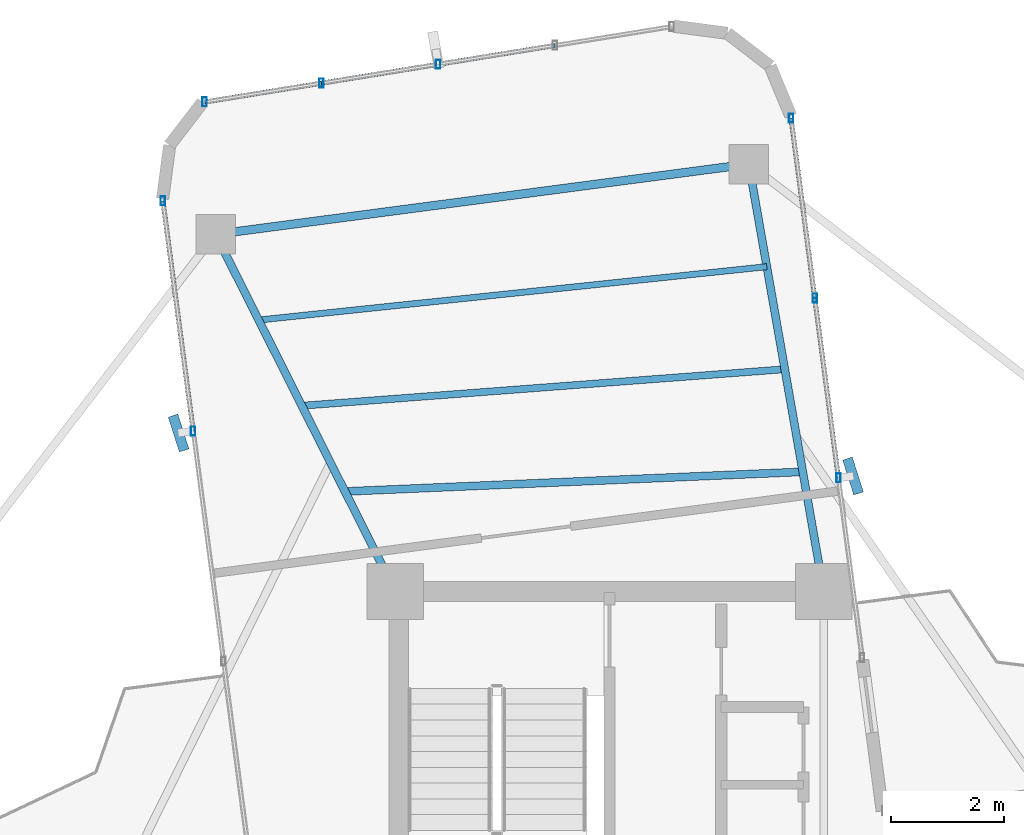
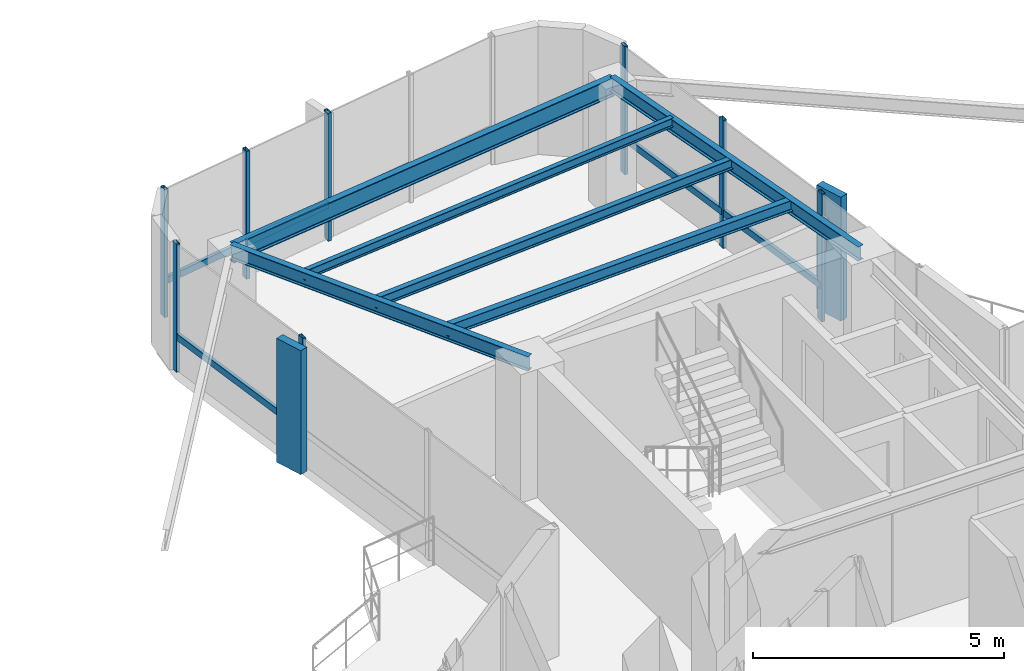
# One storey, part 14 of 22: 16 members, 6 beams, 3 elements without a shape of their own.
"""IFC4 building model written with IfcOpenShell, lengths in metres."""

from ifc_helpers import new_model, si_unit, direction, frame, origin, origin_2d, place, context, subcontext, project, spatial, rectangle, hollow_rectangle, i_section, extrude, source, transform, mapped, material, material_profile, profile_set, type_object, element, aggregate, save


model = new_model("IFC4")

# Units and contexts
model_context = context("Model", 3, precision=1e-05, world=origin(), true_north=direction((0.0, 1.0)))
body_context = subcontext(model_context, "Body", "Model", "MODEL_VIEW")
ifc_project = project(units=[si_unit("LENGTHUNIT", "METRE"), si_unit("AREAUNIT", "SQUARE_METRE"), si_unit("VOLUMEUNIT", "CUBIC_METRE"), si_unit("PLANEANGLEUNIT", "RADIAN"), si_unit("MASSUNIT", "GRAM", prefix="KILO")], contexts=[model_context])

# Site, building, storey
site_placement = place(None, origin())
site = spatial("IfcSite", under=ifc_project, at=site_placement, CompositionType="ELEMENT")
building_placement = place(site_placement, origin())
building = spatial("IfcBuilding", under=site, at=building_placement, Name="Sahyath Konkavel Grand Hotel", CompositionType="ELEMENT")
storey_placement = place(building_placement, frame((0.0, 0.0, 241.14990234375)))
storey = spatial("IfcBuildingStorey", under=building, at=storey_placement, Name="L67", CompositionType="ELEMENT", Elevation=241.14990234375)

# Beams
ifc_material_1 = material(Name="Steel E350", Category="steel")
ifc_material_profile_1 = material_profile(ifc_material_1, i_section(OverallWidth=0.139892578125, OverallDepth=0.35009765625, WebThickness=0.008056640625, FlangeThickness=0.01416015625, FilletRadius=0.013916015625, at=origin_2d()), Name="ISMB 350")
ifc_profile_set_1 = profile_set([ifc_material_profile_1], Name="Steel E350")
beam_type_1 = type_object("IfcBeamType", Name="BM-ISMB350", PredefinedType="BEAM", material=ifc_profile_set_1)
shared_shape_1 = source(origin(), body_context, "Body", "SweptSolid", [
    extrude(i_section(OverallWidth=0.139892578125, OverallDepth=0.35009765625, WebThickness=0.008056640625, FlangeThickness=0.01416015625, FilletRadius=0.013916015625, at=origin_2d()), origin(), (0.0, 0.0, 1.0), 7.697265625),
])
beam_1_placement = place(storey_placement, frame((3.800048828125, 10.199951171875, 2.93505859375), z_axis=(-0.172638066176, 0.984985328879, 0.0), x_axis=(-0.984985328879, -0.172638066176, 0.0)))
element("IfcBeam", 1, at=beam_1_placement, inside=storey, type_object=beam_type_1, Name="L67 Cruciform Radial Girder NA", PredefinedType="BEAM", context=body_context, shape_type="MappedRepresentation", body=[
    mapped(shared_shape_1, transform((0.0, 0.0, 0.0), scale=1.0)),
])
shared_shape_2 = source(origin(), body_context, "Body", "SweptSolid", [
    extrude(i_section(OverallWidth=0.139892578125, OverallDepth=0.35009765625, WebThickness=0.008056640625, FlangeThickness=0.01416015625, FilletRadius=0.013916015625, at=origin_2d()), origin(), (0.0, 0.0, 1.0), 7.093505859375),
])
beam_2_placement = place(storey_placement, frame((-3.800048828125, 10.199951171875, 2.93505859375), z_axis=(-0.449593689822, 0.893233180123, 0.0), x_axis=(-0.893233180123, -0.449593689822, 0.0)))
element("IfcBeam", 2, at=beam_2_placement, inside=storey, type_object=beam_type_1, Name="L67 Cruciform Radial Girder NB", PredefinedType="BEAM", context=body_context, shape_type="MappedRepresentation", body=[
    mapped(shared_shape_2, transform((0.0, 0.0, 0.0), scale=1.0)),
])
ifc_material_profile_2 = material_profile(ifc_material_1, i_section(OverallWidth=0.14990234375, OverallDepth=0.449951171875, WebThickness=0.009521484375, FlangeThickness=0.017333984375, FilletRadius=0.014892578125, at=origin_2d()), Name="ISMB 450")
ifc_profile_set_2 = profile_set([ifc_material_profile_2], Name="Steel E350")
beam_type_2 = type_object("IfcBeamType", Name="BM-ISMB450", PredefinedType="BEAM", material=ifc_profile_set_2)
shared_shape_3 = source(origin(), body_context, "Body", "SweptSolid", [
    extrude(i_section(OverallWidth=0.14990234375, OverallDepth=0.449951171875, WebThickness=0.009521484375, FlangeThickness=0.017333984375, FilletRadius=0.014892578125, at=origin_2d()), origin(), (0.0, 0.0, 1.0), 9.5419921875),
])
beam_3_placement = place(storey_placement, frame((2.47119140625, 17.78173828125, 2.885009765625), z_axis=(-0.991443319299, -0.130537904905, 0.0), x_axis=(0.130537904905, -0.991443319299, 0.0)))
element("IfcBeam", 3, at=beam_3_placement, inside=storey, type_object=beam_type_2, Name="L67 Wing Tip Edge Beam N", PredefinedType="BEAM", context=body_context, shape_type="MappedRepresentation", body=[
    mapped(shared_shape_3, transform((0.0, 0.0, 0.0), scale=1.0)),
])
ifc_material_profile_3 = material_profile(ifc_material_1, i_section(OverallWidth=0.139892578125, OverallDepth=0.27490234375, WebThickness=0.00634765625, FlangeThickness=0.0087890625, FilletRadius=0.012939453125, at=origin_2d()), Name="ISLB 275")
ifc_profile_set_3 = profile_set([ifc_material_profile_3], Name="Steel E350")
beam_type_3 = type_object("IfcBeamType", Name="BM-ISLB275", PredefinedType="BEAM", material=ifc_profile_set_3)
shared_shape_4 = source(origin(), body_context, "Body", "SweptSolid", [
    extrude(i_section(OverallWidth=0.139892578125, OverallDepth=0.27490234375, WebThickness=0.00634765625, FlangeThickness=0.0087890625, FilletRadius=0.012939453125, at=origin_2d()), origin(), (0.0, 0.0, 1.0), 8.128662109375),
])
beam_4_placement = place(storey_placement, frame((3.427978515625, 12.322998046875, 2.97265625), z_axis=(-0.999078522138, -0.042919769364, 0.0), x_axis=(0.042919769364, -0.999078522138, 0.0)))
element("IfcBeam", 4, at=beam_4_placement, inside=storey, type_object=beam_type_3, Name="L67 Secondary Floor Beam N-1", PredefinedType="BEAM", context=body_context, shape_type="MappedRepresentation", body=[
    mapped(shared_shape_4, transform((0.0, 0.0, 0.0), scale=1.0)),
])
ifc_material_profile_4 = material_profile(ifc_material_1, i_section(OverallWidth=0.125, OverallDepth=0.25, WebThickness=0.0068359375, FlangeThickness=0.012451171875, FilletRadius=0.012939453125, at=origin_2d()), Name="ISMB 250")
ifc_profile_set_4 = profile_set([ifc_material_profile_4], Name="Steel E350")
beam_type_4 = type_object("IfcBeamType", Name="BM-ISMB250", PredefinedType="BEAM", material=ifc_profile_set_4)
shared_shape_5 = source(origin(), body_context, "Body", "SweptSolid", [
    extrude(i_section(OverallWidth=0.125, OverallDepth=0.25, WebThickness=0.0068359375, FlangeThickness=0.012451171875, FilletRadius=0.012939453125, at=origin_2d()), origin(), (0.0, 0.0, 1.0), 8.591796875),
])
beam_5_placement = place(storey_placement, frame((3.10888671875, 14.142578125, 2.985107421875), z_axis=(-0.997154415757, -0.075386146843, 0.0), x_axis=(0.075386146843, -0.997154415757, 0.0)))
element("IfcBeam", 5, at=beam_5_placement, inside=storey, type_object=beam_type_4, Name="L67 Secondary Floor Beam N-2", PredefinedType="BEAM", context=body_context, shape_type="MappedRepresentation", body=[
    mapped(shared_shape_5, transform((0.0, 0.0, 0.0), scale=1.0)),
])
ifc_material_profile_5 = material_profile(ifc_material_1, i_section(OverallWidth=0.110107421875, OverallDepth=0.22509765625, WebThickness=0.006591796875, FlangeThickness=0.01171875, FilletRadius=0.011962890625, at=origin_2d()), Name="ISMB 225")
ifc_profile_set_5 = profile_set([ifc_material_profile_5], Name="Steel E350")
beam_type_5 = type_object("IfcBeamType", Name="BM-ISMB225", PredefinedType="BEAM", material=ifc_profile_set_5)
shared_shape_6 = source(origin(), body_context, "Body", "SweptSolid", [
    extrude(i_section(OverallWidth=0.110107421875, OverallDepth=0.22509765625, WebThickness=0.006591796875, FlangeThickness=0.01171875, FilletRadius=0.011962890625, at=origin_2d()), origin(), (0.0, 0.0, 1.0), 9.0634765625),
])
beam_6_placement = place(storey_placement, frame((2.7900390625, 15.962158203125, 2.99755859375), z_axis=(-0.994529043333, -0.104460432546, 0.0), x_axis=(0.104460432546, -0.994529043333, 0.0)))
element("IfcBeam", 6, at=beam_6_placement, inside=storey, type_object=beam_type_5, Name="L67 Secondary Floor Beam N-3", PredefinedType="BEAM", context=body_context, shape_type="MappedRepresentation", body=[
    mapped(shared_shape_6, transform((0.0, 0.0, 0.0), scale=1.0)),
])

# Curtain wall, member
ifc_material_2 = material(Name="Anodised Bronze Aluminium & Low-E Glazing", Category="aluminium")
curtain_wall_type = type_object("IfcCurtainWallType", Name="CW-ZONE4", PredefinedType="NOTDEFINED", material=ifc_material_2)
curtain_wall_1_placement = place(storey_placement, origin())
curtain_wall_1 = element("IfcCurtainWall", 7, at=curtain_wall_1_placement, inside=storey, type_object=curtain_wall_type, Name="L67 Unitised Curtain Wall F8", PredefinedType="NOTDEFINED")
ifc_material_3 = material(Name="Warm Buff Sandstone Cladding on Concrete C50/60", Category="masonry")
ifc_material_profile_6 = material_profile(ifc_material_3, rectangle(XDim=0.179931640625, YDim=0.64990234375, at=origin_2d()), Name="FIN 180x650")
ifc_profile_set_6 = profile_set([ifc_material_profile_6], Name="Warm Buff Sandstone Cladding on Concrete C50/60")
member_type_1 = type_object("IfcMemberType", Name="FIN-SANDSTONE-650", PredefinedType="MULLION", material=ifc_profile_set_6)
shared_shape_7 = source(origin(), body_context, "Body", "SweptSolid", [
    extrude(rectangle(XDim=0.179931640625, YDim=0.64990234375, at=origin_2d()), origin(), (0.0, 0.0, 1.0), 3.010009765625),
])
member_1_placement = place(storey_placement, frame((4.3193359375, 12.248291015625, 0.050048828125), z_axis=(0.0, 0.0, 1.0), x_axis=(0.952767550771, 0.303700500819, 0.0)))
member_1 = element("IfcMember", 8, at=member_1_placement, type_object=member_type_1, Name="L67 Sandstone Vertical Solar Fin FIN F8-1", PredefinedType="MULLION", context=body_context, shape_type="MappedRepresentation", body=[
    mapped(shared_shape_7, transform((0.0, 0.0, 0.0), scale=1.0)),
])

curtain_wall_2_placement = place(storey_placement, origin())
curtain_wall_2 = element("IfcCurtainWall", 9, at=curtain_wall_2_placement, inside=storey, type_object=curtain_wall_type, Name="L67 Unitised Curtain Wall F15", PredefinedType="NOTDEFINED")
member_2_placement = place(storey_placement, frame((-7.644775390625, 13.01171875, 0.050048828125), z_axis=(0.0, 0.0, 1.0), x_axis=(0.952767550771, 0.303700500819, 0.0)))
member_2 = element("IfcMember", 10, at=member_2_placement, type_object=member_type_1, Name="L67 Sandstone Vertical Solar Fin FIN F15-1", PredefinedType="MULLION", context=body_context, shape_type="MappedRepresentation", body=[
    mapped(shared_shape_7, transform((0.0, 0.0, 0.0), scale=1.0)),
])

# Member
ifc_material_4 = material(Name="Anodised Bronze Aluminium", Category="aluminium")
ifc_material_profile_7 = material_profile(ifc_material_4, hollow_rectangle(XDim=0.080078125, YDim=0.159912109375, WallThickness=0.006103515625, at=origin_2d()), Name="RHS 160x80x6")
ifc_profile_set_7 = profile_set([ifc_material_profile_7], Name="Anodised Bronze Aluminium")
member_type_2 = type_object("IfcMemberType", Name="CW-MUL-160", PredefinedType="MULLION", material=ifc_profile_set_7)
shared_shape_8 = source(origin(), body_context, "Body", "SweptSolid", [
    extrude(hollow_rectangle(XDim=0.080078125, YDim=0.159912109375, WallThickness=0.006103515625, at=origin_2d()), origin(), (0.0, 0.0, 1.0), 3.110107421875),
])
member_3_placement = place(storey_placement, frame((4.0615234375, 12.21435546875, 0.0), z_axis=(0.0, 0.0, 1.0), x_axis=(1.0, 0.0, 0.0)))
member_3 = element("IfcMember", 11, at=member_3_placement, type_object=member_type_2, Name="L67 Curtain Wall Mullion F8-1", PredefinedType="MULLION", context=body_context, shape_type="MappedRepresentation", body=[
    mapped(shared_shape_8, transform((0.0, 0.0, 0.0), scale=1.0)),
])

member_4_placement = place(storey_placement, frame((3.641357421875, 15.405517578125, 0.0), z_axis=(0.0, 0.0, 1.0), x_axis=(1.0, 0.0, 0.0)))
member_4 = element("IfcMember", 12, at=member_4_placement, type_object=member_type_2, Name="L67 Curtain Wall Mullion F8-2", PredefinedType="MULLION", context=body_context, shape_type="MappedRepresentation", body=[
    mapped(shared_shape_8, transform((0.0, 0.0, 0.0), scale=1.0)),
])

member_5_placement = place(storey_placement, frame((3.22119140625, 18.596435546875, 0.0), z_axis=(0.0, 0.0, 1.0), x_axis=(1.0, 0.0, 0.0)))
member_5 = element("IfcMember", 13, at=member_5_placement, type_object=member_type_2, Name="L67 Curtain Wall Mullion F8-3", PredefinedType="MULLION", context=body_context, shape_type="MappedRepresentation", body=[
    mapped(shared_shape_8, transform((0.0, 0.0, 0.0), scale=1.0)),
])

# Curtain wall, members
curtain_wall_3_placement = place(storey_placement, origin())
curtain_wall_3 = element("IfcCurtainWall", 14, at=curtain_wall_3_placement, inside=storey, type_object=curtain_wall_type, Name="L67 Unitised Curtain Wall F12", PredefinedType="NOTDEFINED")
member_6_placement = place(storey_placement, frame((-3.040771484375, 19.553466796875, 0.0), z_axis=(0.0, 0.0, 1.0), x_axis=(1.0, 0.0, 0.0)))
member_6 = element("IfcMember", 15, at=member_6_placement, type_object=member_type_2, Name="L67 Curtain Wall Mullion F12-2", PredefinedType="MULLION", context=body_context, shape_type="MappedRepresentation", body=[
    mapped(shared_shape_8, transform((0.0, 0.0, 0.0), scale=1.0)),
])
member_7_placement = place(storey_placement, frame((-5.111572265625, 19.218994140625, 0.0), z_axis=(0.0, 0.0, 1.0), x_axis=(1.0, 0.0, 0.0)))
member_7 = element("IfcMember", 16, at=member_7_placement, type_object=member_type_2, Name="L67 Curtain Wall Mullion F12-3", PredefinedType="MULLION", context=body_context, shape_type="MappedRepresentation", body=[
    mapped(shared_shape_8, transform((0.0, 0.0, 0.0), scale=1.0)),
])
member_8_placement = place(storey_placement, frame((-7.182373046875, 18.884521484375, 0.0), z_axis=(0.0, 0.0, 1.0), x_axis=(1.0, 0.0, 0.0)))
member_8 = element("IfcMember", 17, at=member_8_placement, type_object=member_type_2, Name="L67 Curtain Wall Mullion F12-4", PredefinedType="MULLION", context=body_context, shape_type="MappedRepresentation", body=[
    mapped(shared_shape_8, transform((0.0, 0.0, 0.0), scale=1.0)),
])

# Member
member_9_placement = place(storey_placement, frame((-7.924560546875, 17.129150390625, 0.0), z_axis=(0.0, 0.0, 1.0), x_axis=(1.0, 0.0, 0.0)))
member_9 = element("IfcMember", 18, at=member_9_placement, type_object=member_type_2, Name="L67 Curtain Wall Mullion F15-0", PredefinedType="MULLION", context=body_context, shape_type="MappedRepresentation", body=[
    mapped(shared_shape_8, transform((0.0, 0.0, 0.0), scale=1.0)),
])

member_10_placement = place(storey_placement, frame((-7.386962890625, 13.045654296875, 0.0), z_axis=(0.0, 0.0, 1.0), x_axis=(1.0, 0.0, 0.0)))
member_10 = element("IfcMember", 19, at=member_10_placement, type_object=member_type_2, Name="L67 Curtain Wall Mullion F15-1", PredefinedType="MULLION", context=body_context, shape_type="MappedRepresentation", body=[
    mapped(shared_shape_8, transform((0.0, 0.0, 0.0), scale=1.0)),
])

ifc_material_profile_8 = material_profile(ifc_material_4, hollow_rectangle(XDim=0.080078125, YDim=0.159912109375, WallThickness=0.006103515625, at=origin_2d()), Name="RHS 160x80x6")
ifc_profile_set_8 = profile_set([ifc_material_profile_8], Name="Anodised Bronze Aluminium")
member_type_3 = type_object("IfcMemberType", Name="CW-TRN-160", PredefinedType="USERDEFINED", material=ifc_profile_set_8)
shared_shape_9 = source(origin(), body_context, "Body", "SweptSolid", [
    extrude(hollow_rectangle(XDim=0.080078125, YDim=0.159912109375, WallThickness=0.006103515625, at=origin_2d()), origin(), (0.0, 0.0, 1.0), 3.21875),
])
member_11_placement = place(storey_placement, frame((4.0615234375, 12.21435546875, 0.85009765625), z_axis=(-0.130538882337, 0.991443190606, 0.0), x_axis=(-0.991443190606, -0.130538882337, 0.0)))
member_11 = element("IfcMember", 20, at=member_11_placement, type_object=member_type_3, Name="L67 Curtain Wall Transom F8-1-spandrel", ObjectType="TRANSOM", PredefinedType="USERDEFINED", context=body_context, shape_type="MappedRepresentation", body=[
    mapped(shared_shape_9, transform((0.0, 0.0, 0.0), scale=1.0)),
])

shared_shape_10 = source(origin(), body_context, "Body", "SweptSolid", [
    extrude(hollow_rectangle(XDim=0.080078125, YDim=0.159912109375, WallThickness=0.006103515625, at=origin_2d()), origin(), (0.0, 0.0, 1.0), 3.218505859375),
])
member_12_placement = place(storey_placement, frame((3.641357421875, 15.405517578125, 0.85009765625), z_axis=(-0.130548699797, 0.991441897935, 0.0), x_axis=(-0.991441897935, -0.130548699797, 0.0)))
member_12 = element("IfcMember", 21, at=member_12_placement, type_object=member_type_3, Name="L67 Curtain Wall Transom F8-2-spandrel", ObjectType="TRANSOM", PredefinedType="USERDEFINED", context=body_context, shape_type="MappedRepresentation", body=[
    mapped(shared_shape_10, transform((0.0, 0.0, 0.0), scale=1.0)),
])

aggregate(curtain_wall_1, [member_3, member_1, member_4, member_5, member_11, member_12])

shared_shape_11 = source(origin(), body_context, "Body", "SweptSolid", [
    extrude(hollow_rectangle(XDim=0.080078125, YDim=0.159912109375, WallThickness=0.006103515625, at=origin_2d()), origin(), (0.0, 0.0, 1.0), 2.09765625),
])
member_13_placement = place(storey_placement, frame((-0.969970703125, 19.887939453125, 0.85009765625), z_axis=(-0.987205684033, -0.159451990937, 0.0), x_axis=(0.159451990937, -0.987205684033, 0.0)))
member_13 = element("IfcMember", 22, at=member_13_placement, type_object=member_type_3, Name="L67 Curtain Wall Transom F12-1-spandrel", ObjectType="TRANSOM", PredefinedType="USERDEFINED", context=body_context, shape_type="MappedRepresentation", body=[
    mapped(shared_shape_11, transform((0.0, 0.0, 0.0), scale=1.0)),
])

member_14_placement = place(storey_placement, frame((-3.040771484375, 19.553466796875, 0.85009765625), z_axis=(-0.987205684033, -0.159451990937, 0.0), x_axis=(0.159451990937, -0.987205684033, 0.0)))
member_14 = element("IfcMember", 23, at=member_14_placement, type_object=member_type_3, Name="L67 Curtain Wall Transom F12-2-spandrel", ObjectType="TRANSOM", PredefinedType="USERDEFINED", context=body_context, shape_type="MappedRepresentation", body=[
    mapped(shared_shape_11, transform((0.0, 0.0, 0.0), scale=1.0)),
])

member_15_placement = place(storey_placement, frame((-5.111572265625, 19.218994140625, 0.85009765625), z_axis=(-0.987205684033, -0.159451990937, 0.0), x_axis=(0.159451990937, -0.987205684033, 0.0)))
member_15 = element("IfcMember", 24, at=member_15_placement, type_object=member_type_3, Name="L67 Curtain Wall Transom F12-3-spandrel", ObjectType="TRANSOM", PredefinedType="USERDEFINED", context=body_context, shape_type="MappedRepresentation", body=[
    mapped(shared_shape_11, transform((0.0, 0.0, 0.0), scale=1.0)),
])

aggregate(curtain_wall_3, [member_6, member_7, member_8, member_13, member_14, member_15])

shared_shape_12 = source(origin(), body_context, "Body", "SweptSolid", [
    extrude(hollow_rectangle(XDim=0.080078125, YDim=0.159912109375, WallThickness=0.006103515625, at=origin_2d()), origin(), (0.0, 0.0, 1.0), 4.11865234375),
])
member_16_placement = place(storey_placement, frame((-7.924560546875, 17.129150390625, 0.85009765625), z_axis=(0.130525045861, -0.991445012294, 0.0), x_axis=(0.991445012294, 0.130525045861, 0.0)))
member_16 = element("IfcMember", 25, at=member_16_placement, type_object=member_type_3, Name="L67 Curtain Wall Transom F15-0-spandrel", ObjectType="TRANSOM", PredefinedType="USERDEFINED", context=body_context, shape_type="MappedRepresentation", body=[
    mapped(shared_shape_12, transform((0.0, 0.0, 0.0), scale=1.0)),
])

aggregate(curtain_wall_2, [member_9, member_10, member_2, member_16])

save(model, "model.ifc")
